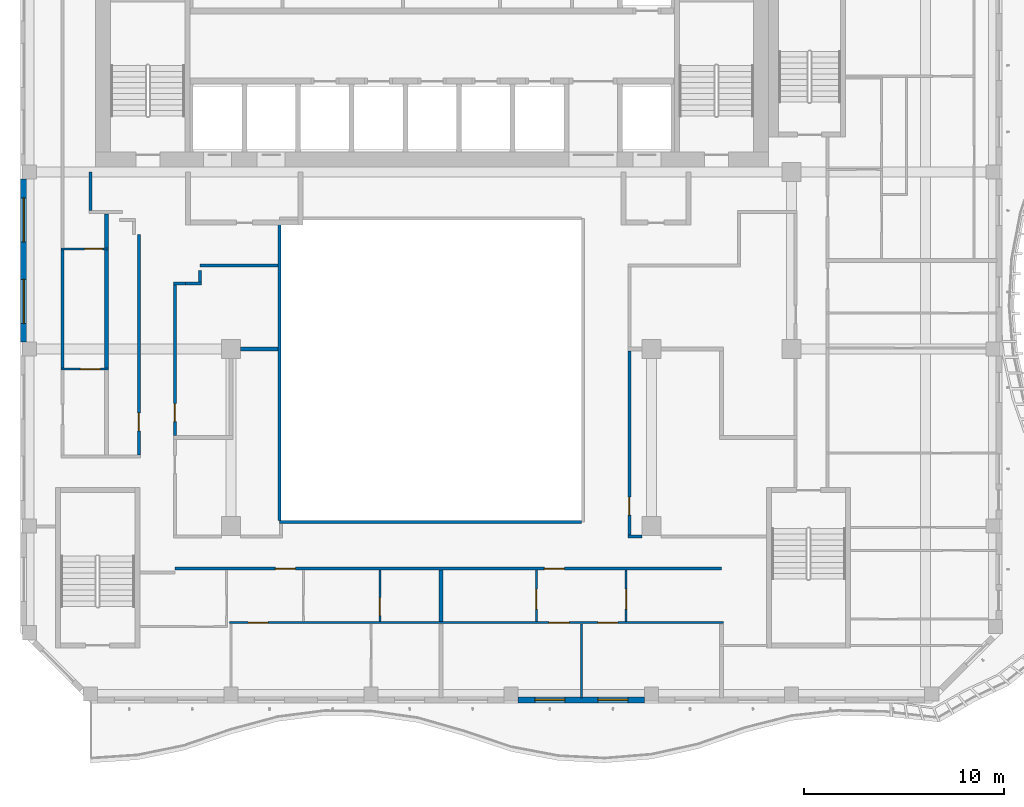
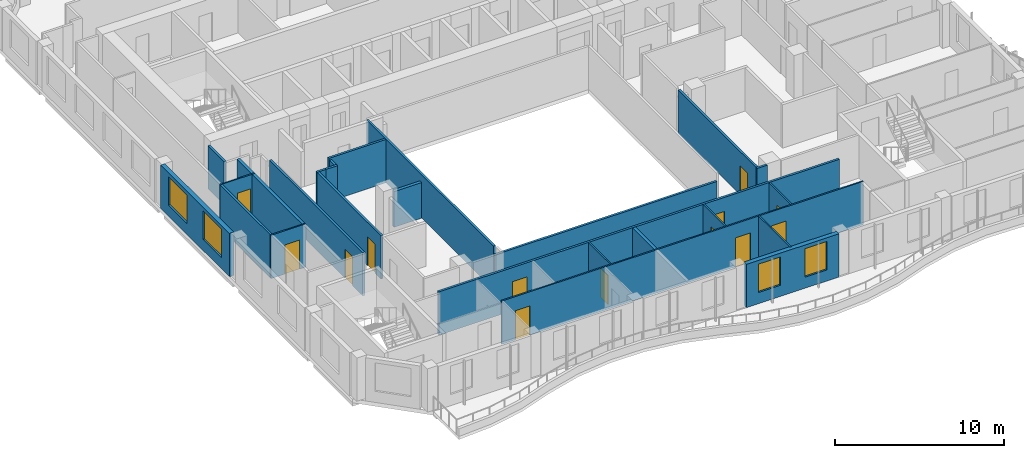
# One storey, part 3 of 19: 26 walls, 13 doors, 4 windows, 17 openings.
"""IFC4 building model written with IfcOpenShell, lengths in metres."""

import ifcopenshell
import ifcopenshell.guid

model = None  # the IFC model being written
_history = None  # IfcOwnerHistory: only IFC2X3 demands one
_inside = {}  # id of a spatial element -> (the spatial element, [elements in it])
_under = {}  # id of a project, library or spatial element -> (it, [spatial elements below it])
_declared = {}  # id of a project -> (the project, [libraries it declares])
_typed = {}  # id of a type object -> (the type object, [elements of that type])
_made_of = {}  # id of a material, layer set ... -> (it, [elements and type objects made of it])


def new_model(schema):
    """Start an empty IFC model of exactly this schema.

    Asked for "IFC4X3", IfcOpenShell would pick the latest addendum, in which some entities
    have other attributes; the version numbers below select the first issue.
    IFC2X3 requires an IfcOwnerHistory on every rooted entity: one is made here for all.
    """
    global model, _history
    if schema == "IFC4X3":
        model = ifcopenshell.file(schema_version=(4, 3, 0, 0))
    else:
        model = ifcopenshell.file(schema=schema)
    _inside.clear()
    _under.clear()
    _declared.clear()
    _typed.clear()
    _made_of.clear()
    _history = None
    if model.schema == "IFC2X3":
        org = make("IfcOrganization", Name="unknown")
        user = make(
            "IfcPersonAndOrganization",
            ThePerson=make("IfcPerson", FamilyName="unknown"),
            TheOrganization=org,
        )
        app = make(
            "IfcApplication",
            ApplicationDeveloper=org,
            Version="unknown",
            ApplicationFullName="unknown",
            ApplicationIdentifier="unknown",
        )
        _history = make(
            "IfcOwnerHistory",
            OwningUser=user,
            OwningApplication=app,
            ChangeAction="ADDED",
            CreationDate=0,
        )
    return model


def make(cls, **values):
    """One entity of the class cls with the attributes given. An attribute that is None is left unset."""
    return model.create_entity(
        cls, **{name: value for name, value in values.items() if value is not None}
    )


def rooted(cls, **values):
    """An entity with a GlobalId (a new one), such as an element, a storey or a relation."""
    return make(cls, GlobalId=ifcopenshell.guid.new(), OwnerHistory=_history, **values)


def si_unit(unit_type, name, prefix=None):
    """IfcSIUnit, for example si_unit("LENGTHUNIT", "METRE", prefix="MILLI")."""
    return make("IfcSIUnit", UnitType=unit_type, Prefix=prefix, Name=name)


def assignment(units):
    """IfcUnitAssignment: the units of a project."""
    return None if units is None else make("IfcUnitAssignment", Units=units)


def point(xyz):
    """IfcCartesianPoint."""
    return None if xyz is None else make("IfcCartesianPoint", Coordinates=xyz)


def direction(xyz):
    """IfcDirection."""
    return None if xyz is None else make("IfcDirection", DirectionRatios=xyz)


def frame(location, z_axis=None, x_axis=None):
    """IfcAxis2Placement3D, a coordinate frame: its origin and axes. An axis left out is left unset."""
    return make(
        "IfcAxis2Placement3D",
        Location=point(location),
        Axis=direction(z_axis),
        RefDirection=direction(x_axis),
    )


def frame_2d(location, x_axis=None):
    """IfcAxis2Placement2D, a coordinate frame in the plane: its origin and x axis."""
    return make(
        "IfcAxis2Placement2D", Location=point(location), RefDirection=direction(x_axis)
    )


def origin():
    """The frame at (0, 0, 0) with its axes left unset."""
    return frame((0.0, 0.0, 0.0))


def place(relative_to, where):
    """IfcLocalPlacement: puts the frame where relative to a parent placement (None: the world)."""
    return make(
        "IfcLocalPlacement", PlacementRelTo=relative_to, RelativePlacement=where
    )


def context(
    kind, dimensions, precision=None, world=None, true_north=None, identifier=None
):
    """IfcGeometricRepresentationContext, for example the 3D "Model" context."""
    return make(
        "IfcGeometricRepresentationContext",
        ContextIdentifier=identifier,
        ContextType=kind,
        CoordinateSpaceDimension=dimensions,
        Precision=precision,
        WorldCoordinateSystem=world,
        TrueNorth=true_north,
    )


def subcontext(parent, identifier, kind, view, scale=None):
    """IfcGeometricRepresentationSubContext, for example "Body" below "Model"."""
    return make(
        "IfcGeometricRepresentationSubContext",
        ContextIdentifier=identifier,
        ContextType=kind,
        ParentContext=parent,
        TargetScale=scale,
        TargetView=view,
    )


def project(units=None, contexts=None):
    """IfcProject with its units and contexts."""
    return rooted(
        "IfcProject",
        Name="project",
        RepresentationContexts=contexts,
        UnitsInContext=assignment(units),
    )


def spatial(cls, under=None, at=None, **own):
    """A site, building, storey or space (cls), placed at a placement, below another one or the project."""
    s = rooted(cls, ObjectPlacement=at, **own)
    if under is not None:
        _under.setdefault(under.id(), (under, []))[1].append(s)
    return s


def profile(cls, at=None, kind="AREA", **sizes):
    """A parametric profile (cls). Its sizes go by their IFC names, for example OverallWidth=200.0."""
    return make(cls, ProfileType=kind, Position=at, **sizes)


def rectangle(**sizes):
    """IfcRectangleProfileDef."""
    return profile("IfcRectangleProfileDef", **sizes)


def extrude(swept, where, along, depth):
    """IfcExtrudedAreaSolid: the profile swept, set in the frame where, extruded along a direction by depth."""
    return make(
        "IfcExtrudedAreaSolid",
        SweptArea=swept,
        Position=where,
        ExtrudedDirection=direction(along),
        Depth=depth,
    )


def shape(context_of_items, identifier, shape_type, items):
    """IfcShapeRepresentation: the items that make up one representation, for example the "Body"."""
    return make(
        "IfcShapeRepresentation",
        ContextOfItems=context_of_items,
        RepresentationIdentifier=identifier,
        RepresentationType=shape_type,
        Items=items,
    )


def source(mapping_origin, context_of_items, identifier, shape_type, items):
    """IfcRepresentationMap: a shape defined once, which mapped items show again and again."""
    return make(
        "IfcRepresentationMap",
        MappingOrigin=mapping_origin,
        MappedRepresentation=shape(context_of_items, identifier, shape_type, items),
    )


def transform(
    local_origin,
    x_axis=None,
    y_axis=None,
    z_axis=None,
    scale=None,
    scale2=None,
    scale3=None,
    uniform=True,
):
    """IfcCartesianTransformationOperator3D, or its non-uniform kind. x_axis, y_axis, z_axis: its Axis1, 2, 3."""
    if uniform:
        return make(
            "IfcCartesianTransformationOperator3D",
            Axis1=direction(x_axis),
            Axis2=direction(y_axis),
            LocalOrigin=point(local_origin),
            Scale=scale,
            Axis3=direction(z_axis),
        )
    return make(
        "IfcCartesianTransformationOperator3DnonUniform",
        Axis1=direction(x_axis),
        Axis2=direction(y_axis),
        LocalOrigin=point(local_origin),
        Scale=scale,
        Axis3=direction(z_axis),
        Scale2=scale2,
        Scale3=scale3,
    )


def mapped(mapping_source, mapping_target):
    """IfcMappedItem: shows the shape of a source again, moved by a transform."""
    return make(
        "IfcMappedItem", MappingSource=mapping_source, MappingTarget=mapping_target
    )


def material(Name=None, Category=None):
    """IfcMaterial."""
    return make("IfcMaterial", Name=Name, Category=Category)


def layer(
    of_material, thickness, ventilated=None, Name=None, Category=None, Priority=None
):
    """IfcMaterialLayer: one layer of a wall or slab, of a material (None: an air gap)."""
    return make(
        "IfcMaterialLayer",
        Material=of_material,
        LayerThickness=thickness,
        IsVentilated=ventilated,
        Name=Name,
        Category=Category,
        Priority=Priority,
    )


def layer_set(layers, Name=None):
    """IfcMaterialLayerSet."""
    return make("IfcMaterialLayerSet", MaterialLayers=layers, LayerSetName=Name)


def made_of(thing, what):
    """Note that an element or type object is made of a material, layer set ...; save() writes the relation."""
    if what is not None:
        _made_of.setdefault(what.id(), (what, []))[1].append(thing)
    return thing


def type_object(cls, material=None, **own):
    """A type object (cls), such as IfcWallType, which elements share."""
    return made_of(rooted(cls, **own), material)


def element(
    cls,
    number,
    at=None,
    inside=None,
    cuts=None,
    type_object=None,
    material=None,
    context=None,
    identifier="Body",
    shape_type=None,
    held_by="IfcProductDefinitionShape",
    body=None,
    shapes=None,
    **own,
):
    """One element of the class cls, such as IfcWall. Its Tag is "e" and its number.

    at: its placement. inside: the storey or other place that contains it. cuts: it is an
    opening in that element (IfcRelVoidsElement). A single representation is given by context,
    identifier, shape_type and body (its items); several are given by shapes. held_by: the class
    of the entity that holds the representations. save() writes the other relations.
    """
    e = rooted(cls, Tag="e%d" % number, ObjectPlacement=at, **own)
    if body is not None:
        shapes = [shape(context, identifier, shape_type, body)]
    if shapes is not None:
        e.Representation = make(held_by, Representations=shapes)
    if inside is not None:
        _inside.setdefault(inside.id(), (inside, []))[1].append(e)
    if cuts is not None:
        rooted(
            "IfcRelVoidsElement", RelatingBuildingElement=cuts, RelatedOpeningElement=e
        )
    if type_object is not None:
        _typed.setdefault(type_object.id(), (type_object, []))[1].append(e)
    return made_of(e, material)


def fill(opening, filler):
    """IfcRelFillsElement: the door or window that sits in an opening."""
    return rooted(
        "IfcRelFillsElement",
        RelatingOpeningElement=opening,
        RelatedBuildingElement=filler,
    )


def aggregate(whole, parts):
    """IfcRelAggregates: a whole, such as a stair, and the parts it consists of."""
    return rooted("IfcRelAggregates", RelatingObject=whole, RelatedObjects=parts)


def save(model, path):
    """Write the relations noted so far, then the file.

    IfcRelAggregates (storeys below a building ...), IfcRelContainedInSpatialStructure (elements
    in a storey), IfcRelDefinesByType, IfcRelAssociatesMaterial and IfcRelDeclares: one each for
    every whole, place, type object, material and project.
    """
    for whole, parts in _under.values():
        aggregate(whole, parts)
    for where, things in _inside.values():
        rooted(
            "IfcRelContainedInSpatialStructure",
            RelatedElements=things,
            RelatingStructure=where,
        )
    for kind, things in _typed.values():
        rooted("IfcRelDefinesByType", RelatedObjects=things, RelatingType=kind)
    for what, things in _made_of.values():
        rooted("IfcRelAssociatesMaterial", RelatedObjects=things, RelatingMaterial=what)
    for by, libraries in _declared.values():
        rooted("IfcRelDeclares", RelatingContext=by, RelatedDefinitions=libraries)
    model.write(path)


model = new_model("IFC4")

# Units and contexts
model_context = context("Model", 3, precision=1e-05, world=origin(), true_north=direction((0.0, 1.0)))
body_context = subcontext(model_context, "Body", "Model", "MODEL_VIEW")
ifc_project = project(units=[si_unit("LENGTHUNIT", "METRE"), si_unit("AREAUNIT", "SQUARE_METRE"), si_unit("VOLUMEUNIT", "CUBIC_METRE"), si_unit("PLANEANGLEUNIT", "RADIAN"), si_unit("MASSUNIT", "GRAM", prefix="KILO")], contexts=[model_context])

# Site, building, storey
site_placement = place(None, origin())
site = spatial("IfcSite", under=ifc_project, at=site_placement, CompositionType="ELEMENT")
building_placement = place(site_placement, origin())
building = spatial("IfcBuilding", under=site, at=building_placement, Name="Kilnfold Tower and Market Hall", CompositionType="ELEMENT")
storey_placement = place(building_placement, frame((0.0, 0.0, 252.60009765625)))
storey = spatial("IfcBuildingStorey", under=building, at=storey_placement, Name="L61", CompositionType="ELEMENT", Elevation=252.60009765625)

# Walls
ifc_material_1 = material(Name="Fire-resisting glazed screen")
ifc_layer_1 = layer(ifc_material_1, 0.14990234375)
ifc_layer_set_1 = layer_set([ifc_layer_1], Name="Fire-resisting glazed screen")
wall_type_1 = type_object("IfcWallType", Name="WALL ATRIUM 150", PredefinedType="PARTITIONING", material=ifc_layer_set_1)
wall_1_placement = place(storey_placement, frame((8.5, -9.47509765625, 0.0), z_axis=(0.0, 0.0, 1.0), x_axis=(-1.0, 0.0, 0.0)))
element("IfcWall", 1, at=wall_1_placement, inside=storey, type_object=wall_type_1, Name="Partition LY37.107", PredefinedType="PARTITIONING", context=body_context, shape_type="SweptSolid", body=[
    extrude(rectangle(XDim=15.074951171875, YDim=0.14990234375, at=frame_2d((7.53759765625, 0.0))), origin(), (0.0, 0.0, 1.0), 2.56982421875),
])
wall_2_placement = place(storey_placement, frame((-6.574951171875, -9.39990234375, 0.0), z_axis=(0.0, 0.0, 1.0), x_axis=(0.0, 1.0, 0.0)))
element("IfcWall", 2, at=wall_2_placement, inside=storey, type_object=wall_type_1, Name="Partition LY37.108", PredefinedType="PARTITIONING", context=body_context, shape_type="SweptSolid", body=[
    extrude(rectangle(XDim=15.0, YDim=0.14990234375, at=frame_2d((7.5, 0.0))), origin(), (0.0, 0.0, 1.0), 3.119873046875),
])
ifc_material_2 = material(Name="Gypsum board on steel studs", Category="steel")
ifc_layer_2 = layer(ifc_material_2, 0.14990234375)
ifc_layer_set_2 = layer_set([ifc_layer_2], Name="Gypsum board on steel studs")
wall_type_2 = type_object("IfcWallType", Name="WALL CORRIDOR 150", PredefinedType="PARTITIONING", material=ifc_layer_set_2)
wall_3_placement = place(storey_placement, frame((-17.39990234375, -1.791015625, 0.0), z_axis=(0.0, 0.0, 1.0), x_axis=(0.0, 1.0, 0.0)))
element("IfcWall", 3, at=wall_3_placement, inside=storey, type_object=wall_type_2, Name="Partition LY37.3", PredefinedType="PARTITIONING", context=body_context, shape_type="SweptSolid", body=[
    extrude(rectangle(XDim=5.925048828125, YDim=0.14990234375, at=frame_2d((2.96240234375, 0.0))), origin(), (0.0, 0.0, 1.0), 3.119873046875),
])
wall_4_placement = place(storey_placement, frame((-16.0, 6.074951171875, 0.0), z_axis=(0.0, 0.0, 1.0), x_axis=(0.0, 1.0, 0.0)))
element("IfcWall", 4, at=wall_4_placement, inside=storey, type_object=wall_type_2, Name="Partition LY37.6", PredefinedType="PARTITIONING", context=body_context, shape_type="SweptSolid", body=[
    extrude(rectangle(XDim=1.925048828125, YDim=0.14990234375, at=frame_2d((0.96240234375, 0.0))), origin(), (0.0, 0.0, 1.0), 3.119873046875),
])

# Wall, openings, doors
wall_5_placement = place(storey_placement, frame((-11.800048828125, -11.800048828125, 0.0), z_axis=(0.0, 0.0, 1.0), x_axis=(1.0, 0.0, 0.0)))
wall_5 = element("IfcWall", 5, at=wall_5_placement, inside=storey, type_object=wall_type_2, Name="Partition LY37.9", PredefinedType="PARTITIONING", context=body_context, shape_type="SweptSolid", body=[
    extrude(rectangle(XDim=27.31005859375, YDim=0.14990234375, at=frame_2d((13.655029296875, 0.0))), origin(), (0.0, 0.0, 1.0), 3.119873046875),
])
opening_1_placement = place(wall_5_placement, frame((5.02099609375, 0.0, 0.0)))
opening_1 = element("IfcOpeningElement", 6, at=opening_1_placement, cuts=wall_5, Name="Opening D1", PredefinedType="OPENING", context=body_context, shape_type="SweptSolid", body=[
    extrude(rectangle(XDim=1.0, YDim=2.10009765625, at=frame_2d((0.5, 1.050048828125))), frame((0.0, 0.0849609375, 0.0), z_axis=(0.0, -1.0, 0.0), x_axis=(1.0, 0.0, 0.0)), (0.0, 0.0, 1.0), 0.169921875),
])
opening_2_placement = place(wall_5_placement, frame((18.45703125, 0.0, 0.0)))
opening_2 = element("IfcOpeningElement", 7, at=opening_2_placement, cuts=wall_5, Name="Opening D1", PredefinedType="OPENING", context=body_context, shape_type="SweptSolid", body=[
    extrude(rectangle(XDim=1.0, YDim=2.10009765625, at=frame_2d((0.5, 1.050048828125))), frame((0.0, 0.0849609375, 0.0), z_axis=(0.0, -1.0, 0.0), x_axis=(1.0, 0.0, 0.0)), (0.0, 0.0, 1.0), 0.169921875),
])
ifc_material_3 = material(Name="Timber veneer door leaf in steel frame", Category="steel")
door_type_1 = type_object("IfcDoorType", Name="DOOR ENTRY 1000 X2100", OperationType="NOTDEFINED", PredefinedType="DOOR", material=ifc_material_3)
door_1_placement = place(opening_1_placement, origin())
door_1 = element("IfcDoor", 8, at=door_1_placement, inside=storey, type_object=door_type_1, Name="Door D1", OperationType="SINGLE_SWING_LEFT", OverallHeight=2.10009765625, OverallWidth=1.0, PredefinedType="DOOR", context=body_context, shape_type="SweptSolid", body=[
    extrude(rectangle(XDim=1.0, YDim=2.10009765625, at=frame_2d((0.5, 1.050048828125))), frame((0.0, 0.02490234375, 0.0), z_axis=(0.0, -1.0, 0.0), x_axis=(1.0, 0.0, 0.0)), (0.0, 0.0, 1.0), 0.050048828125),
])
fill(opening_1, door_1)
door_2_placement = place(opening_2_placement, origin())
door_2 = element("IfcDoor", 9, at=door_2_placement, inside=storey, type_object=door_type_1, Name="Door D1", OperationType="SINGLE_SWING_LEFT", OverallHeight=2.10009765625, OverallWidth=1.0, PredefinedType="DOOR", context=body_context, shape_type="SweptSolid", body=[
    extrude(rectangle(XDim=1.0, YDim=2.10009765625, at=frame_2d((0.5, 1.050048828125))), frame((0.0, 0.02490234375, 0.0), z_axis=(0.0, -1.0, 0.0), x_axis=(1.0, 0.0, 0.0)), (0.0, 0.0, 1.0), 0.050048828125),
])
fill(opening_2, door_2)

# Wall, opening, door
wall_6_placement = place(storey_placement, frame((-13.60009765625, 4.87890625, 0.0), z_axis=(0.0, 0.0, 1.0), x_axis=(0.0, -1.0, 0.0)))
wall_6 = element("IfcWall", 10, at=wall_6_placement, inside=storey, type_object=wall_type_2, Name="Partition LY37.28", PredefinedType="PARTITIONING", context=body_context, shape_type="SweptSolid", body=[
    extrude(rectangle(XDim=11.00390625, YDim=0.14990234375, at=frame_2d((5.501953125, 0.0))), origin(), (0.0, 0.0, 1.0), 3.119873046875),
])
opening_3_placement = place(wall_6_placement, frame((8.904052734375, 0.0, 0.0)))
opening_3 = element("IfcOpeningElement", 11, at=opening_3_placement, cuts=wall_6, Name="Opening D2", PredefinedType="OPENING", context=body_context, shape_type="SweptSolid", body=[
    extrude(rectangle(XDim=0.89990234375, YDim=2.10009765625, at=frame_2d((0.449951171875, 1.050048828125))), frame((0.0, 0.0849609375, 0.0), z_axis=(0.0, -1.0, 0.0), x_axis=(1.0, 0.0, 0.0)), (0.0, 0.0, 1.0), 0.169921875),
])
ifc_material_4 = material(Name="Timber veneer door leaf in steel frame", Category="steel")
door_type_2 = type_object("IfcDoorType", Name="DOOR ROOM 900 X2100", OperationType="NOTDEFINED", PredefinedType="DOOR", material=ifc_material_4)
door_3_placement = place(opening_3_placement, origin())
door_3 = element("IfcDoor", 12, at=door_3_placement, inside=storey, type_object=door_type_2, Name="Door D2", OperationType="SINGLE_SWING_RIGHT", OverallHeight=2.10009765625, OverallWidth=0.89990234375, PredefinedType="DOOR", context=body_context, shape_type="SweptSolid", body=[
    extrude(rectangle(XDim=0.89990234375, YDim=2.10009765625, at=frame_2d((0.449951171875, 1.050048828125))), frame((0.0, 0.02490234375, 0.0), z_axis=(0.0, -1.0, 0.0), x_axis=(1.0, 0.0, 0.0)), (0.0, 0.0, 1.0), 0.050048828125),
])
fill(opening_3, door_3)

# Walls
wall_7_placement = place(storey_placement, frame((-10.5458984375, 3.35009765625, 0.0), z_axis=(0.0, 0.0, 1.0), x_axis=(1.0, 0.0, 0.0)))
element("IfcWall", 13, at=wall_7_placement, inside=storey, type_object=wall_type_2, Name="Partition LY37.31", PredefinedType="PARTITIONING", context=body_context, shape_type="SweptSolid", body=[
    extrude(rectangle(XDim=3.89599609375, YDim=0.14990234375, at=frame_2d((1.947998046875, 0.0))), origin(), (0.0, 0.0, 1.0), 3.119873046875),
])
wall_8_placement = place(storey_placement, frame((-10.5439453125, 2.52294921875, 0.0), z_axis=(0.0, 0.0, 1.0), x_axis=(0.0, 1.0, 0.0)))
element("IfcWall", 14, at=wall_8_placement, inside=storey, type_object=wall_type_2, Name="Partition LY37.32", PredefinedType="PARTITIONING", context=body_context, shape_type="SweptSolid", body=[
    extrude(rectangle(XDim=0.570068359375, YDim=0.14990234375, at=frame_2d((0.28515625, 0.0))), origin(), (0.0, 0.0, 1.0), 3.119873046875),
])
wall_9_placement = place(storey_placement, frame((-11.261962890625, 2.447998046875, 0.0), z_axis=(0.0, 0.0, 1.0), x_axis=(1.0, 0.0, 0.0)))
element("IfcWall", 15, at=wall_9_placement, inside=storey, type_object=wall_type_2, Name="Partition LY37.33", PredefinedType="PARTITIONING", context=body_context, shape_type="SweptSolid", body=[
    extrude(rectangle(XDim=0.79296875, YDim=0.14990234375, at=frame_2d((0.396484375, 0.0))), origin(), (0.0, 0.0, 1.0), 3.119873046875),
])
wall_10_placement = place(storey_placement, frame((-11.875, 2.449951171875, 0.0), z_axis=(0.0, 0.0, 1.0), x_axis=(1.0, 0.0, 0.0)))
element("IfcWall", 16, at=wall_10_placement, inside=storey, type_object=wall_type_2, Name="Partition LY37.34", PredefinedType="PARTITIONING", context=body_context, shape_type="SweptSolid", body=[
    extrude(rectangle(XDim=0.613037109375, YDim=0.14990234375, at=frame_2d((0.306640625, 0.0))), origin(), (0.0, 0.0, 1.0), 3.119873046875),
])

# Wall, opening, door
wall_11_placement = place(storey_placement, frame((-11.800048828125, -5.159912109375, 0.0), z_axis=(0.0, 0.0, 1.0), x_axis=(0.0, 1.0, 0.0)))
wall_11 = element("IfcWall", 17, at=wall_11_placement, inside=storey, type_object=wall_type_2, Name="Partition LY37.35", PredefinedType="PARTITIONING", context=body_context, shape_type="SweptSolid", body=[
    extrude(rectangle(XDim=7.534912109375, YDim=0.14990234375, at=frame_2d((3.767578125, 0.0))), origin(), (0.0, 0.0, 1.0), 3.119873046875),
])
opening_4_placement = place(wall_11_placement, frame((0.702880859375, 0.0, 0.0)))
opening_4 = element("IfcOpeningElement", 18, at=opening_4_placement, cuts=wall_11, Name="Opening D2", PredefinedType="OPENING", context=body_context, shape_type="SweptSolid", body=[
    extrude(rectangle(XDim=0.89990234375, YDim=2.10009765625, at=frame_2d((0.449951171875, 1.050048828125))), frame((0.0, 0.0849609375, 0.0), z_axis=(0.0, -1.0, 0.0), x_axis=(1.0, 0.0, 0.0)), (0.0, 0.0, 1.0), 0.169921875),
])
door_4_placement = place(opening_4_placement, origin())
door_4 = element("IfcDoor", 19, at=door_4_placement, inside=storey, type_object=door_type_2, Name="Door D2", OperationType="SINGLE_SWING_RIGHT", OverallHeight=2.10009765625, OverallWidth=0.89990234375, PredefinedType="DOOR", context=body_context, shape_type="SweptSolid", body=[
    extrude(rectangle(XDim=0.89990234375, YDim=2.10009765625, at=frame_2d((0.449951171875, 1.050048828125))), frame((0.0, 0.02490234375, 0.0), z_axis=(0.0, -1.0, 0.0), x_axis=(1.0, 0.0, 0.0)), (0.0, 0.0, 1.0), 0.050048828125),
])
fill(opening_4, door_4)

wall_12_placement = place(storey_placement, frame((10.89990234375, -10.125, 0.0), z_axis=(0.0, 0.0, 1.0), x_axis=(0.0, 1.0, 0.0)))
wall_12 = element("IfcWall", 20, at=wall_12_placement, inside=storey, type_object=wall_type_2, Name="Partition LY37.41", PredefinedType="PARTITIONING", context=body_context, shape_type="SweptSolid", body=[
    extrude(rectangle(XDim=9.201904296875, YDim=0.14990234375, at=frame_2d((4.60107421875, 0.0))), origin(), (0.0, 0.0, 1.0), 3.119873046875),
])
opening_5_placement = place(wall_12_placement, frame((1.0, 0.0, 0.0)))
opening_5 = element("IfcOpeningElement", 21, at=opening_5_placement, cuts=wall_12, Name="Opening D2", PredefinedType="OPENING", context=body_context, shape_type="SweptSolid", body=[
    extrude(rectangle(XDim=0.89990234375, YDim=2.10009765625, at=frame_2d((0.449951171875, 1.050048828125))), frame((0.0, 0.0849609375, 0.0), z_axis=(0.0, -1.0, 0.0), x_axis=(1.0, 0.0, 0.0)), (0.0, 0.0, 1.0), 0.169921875),
])
door_5_placement = place(opening_5_placement, origin())
door_5 = element("IfcDoor", 22, at=door_5_placement, inside=storey, type_object=door_type_2, Name="Door D2", OperationType="SINGLE_SWING_LEFT", OverallHeight=2.10009765625, OverallWidth=0.89990234375, PredefinedType="DOOR", context=body_context, shape_type="SweptSolid", body=[
    extrude(rectangle(XDim=0.89990234375, YDim=2.10009765625, at=frame_2d((0.449951171875, 1.050048828125))), frame((0.0, 0.02490234375, 0.0), z_axis=(0.0, -1.0, 0.0), x_axis=(1.0, 0.0, 0.0)), (0.0, 0.0, 1.0), 0.050048828125),
])
fill(opening_5, door_5)

# Wall
wall_13_placement = place(storey_placement, frame((10.824951171875, -10.199951171875, 0.0), z_axis=(0.0, 0.0, 1.0), x_axis=(1.0, 0.0, 0.0)))
element("IfcWall", 23, at=wall_13_placement, inside=storey, type_object=wall_type_2, Name="Partition LY37.43", PredefinedType="PARTITIONING", context=body_context, shape_type="SweptSolid", body=[
    extrude(rectangle(XDim=0.699951171875, YDim=0.14990234375, at=frame_2d((0.35009765625, 0.0))), origin(), (0.0, 0.0, 1.0), 3.119873046875),
])

# Wall, opening, door
ifc_material_5 = material(Name="Gypsum board on steel studs", Category="steel")
ifc_layer_3 = layer(ifc_material_5, 0.10009765625)
ifc_layer_set_3 = layer_set([ifc_layer_3], Name="Gypsum board on steel studs")
wall_type_3 = type_object("IfcWallType", Name="WALL PARTITION 100", PredefinedType="PARTITIONING", material=ifc_layer_set_3)
wall_14_placement = place(storey_placement, frame((-15.10009765625, -1.8310546875, 0.0), z_axis=(0.0, 0.0, 1.0), x_axis=(-1.0, 0.0, 0.0)))
wall_14 = element("IfcWall", 24, at=wall_14_placement, inside=storey, type_object=wall_type_3, Name="Partition LY37.50", PredefinedType="PARTITIONING", context=body_context, shape_type="SweptSolid", body=[
    extrude(rectangle(XDim=2.372802734375, YDim=0.10009765625, at=frame_2d((1.1865234375, 0.0))), origin(), (0.0, 0.0, 1.0), 3.119873046875),
])
opening_6_placement = place(wall_14_placement, frame((0.416015625, 0.0, 0.0)))
opening_6 = element("IfcOpeningElement", 25, at=opening_6_placement, cuts=wall_14, Name="Opening D1", PredefinedType="OPENING", context=body_context, shape_type="SweptSolid", body=[
    extrude(rectangle(XDim=1.0, YDim=2.10009765625, at=frame_2d((0.5, 1.050048828125))), frame((0.0, 0.06005859375, 0.0), z_axis=(0.0, -1.0, 0.0), x_axis=(1.0, 0.0, 0.0)), (0.0, 0.0, 1.0), 0.1201171875),
])
door_6_placement = place(opening_6_placement, origin())
door_6 = element("IfcDoor", 26, at=door_6_placement, inside=storey, type_object=door_type_1, Name="Door D1", OperationType="SINGLE_SWING_LEFT", OverallHeight=2.10009765625, OverallWidth=1.0, PredefinedType="DOOR", context=body_context, shape_type="SweptSolid", body=[
    extrude(rectangle(XDim=1.0, YDim=2.10009765625, at=frame_2d((0.5, 1.050048828125))), frame((0.0, 0.02490234375, 0.0), z_axis=(0.0, -1.0, 0.0), x_axis=(1.0, 0.0, 0.0)), (0.0, 0.0, 1.0), 0.050048828125),
])
fill(opening_6, door_6)

wall_15_placement = place(storey_placement, frame((-15.10009765625, 4.174072265625, 0.0), z_axis=(0.0, 0.0, 1.0), x_axis=(-1.0, 0.0, 0.0)))
wall_15 = element("IfcWall", 27, at=wall_15_placement, inside=storey, type_object=wall_type_3, Name="Partition LY37.52", PredefinedType="PARTITIONING", context=body_context, shape_type="SweptSolid", body=[
    extrude(rectangle(XDim=2.372802734375, YDim=0.10009765625, at=frame_2d((1.1865234375, 0.0))), origin(), (0.0, 0.0, 1.0), 3.119873046875),
])
opening_7_placement = place(wall_15_placement, frame((0.306884765625, 0.0, 0.0)))
opening_7 = element("IfcOpeningElement", 28, at=opening_7_placement, cuts=wall_15, Name="Opening D2", PredefinedType="OPENING", context=body_context, shape_type="SweptSolid", body=[
    extrude(rectangle(XDim=0.89990234375, YDim=2.10009765625, at=frame_2d((0.449951171875, 1.050048828125))), frame((0.0, 0.06005859375, 0.0), z_axis=(0.0, -1.0, 0.0), x_axis=(1.0, 0.0, 0.0)), (0.0, 0.0, 1.0), 0.1201171875),
])
door_7_placement = place(opening_7_placement, origin())
door_7 = element("IfcDoor", 29, at=door_7_placement, inside=storey, type_object=door_type_2, Name="Door D2", OperationType="SINGLE_SWING_RIGHT", OverallHeight=2.10009765625, OverallWidth=0.89990234375, PredefinedType="DOOR", context=body_context, shape_type="SweptSolid", body=[
    extrude(rectangle(XDim=0.89990234375, YDim=2.10009765625, at=frame_2d((0.449951171875, 1.050048828125))), frame((0.0, 0.02490234375, 0.0), z_axis=(0.0, -1.0, 0.0), x_axis=(1.0, 0.0, 0.0)), (0.0, 0.0, 1.0), 0.050048828125),
])
fill(opening_7, door_7)

# Wall, openings, doors
wall_16_placement = place(storey_placement, frame((-9.06005859375, -14.5, 0.0), z_axis=(0.0, 0.0, 1.0), x_axis=(1.0, 0.0, 0.0)))
wall_16 = element("IfcWall", 30, at=wall_16_placement, inside=storey, type_object=wall_type_3, Name="Partition LY37.59", PredefinedType="PARTITIONING", context=body_context, shape_type="SweptSolid", body=[
    extrude(rectangle(XDim=24.66015625, YDim=0.10009765625, at=frame_2d((12.330078125, 0.0))), origin(), (0.0, 0.0, 1.0), 3.119873046875),
])
opening_8_placement = place(wall_16_placement, frame((0.924072265625, 0.0, 0.0)))
opening_8 = element("IfcOpeningElement", 31, at=opening_8_placement, cuts=wall_16, Name="Opening D1", PredefinedType="OPENING", context=body_context, shape_type="SweptSolid", body=[
    extrude(rectangle(XDim=1.0, YDim=2.10009765625, at=frame_2d((0.5, 1.050048828125))), frame((0.0, 0.06005859375, 0.0), z_axis=(0.0, -1.0, 0.0), x_axis=(1.0, 0.0, 0.0)), (0.0, 0.0, 1.0), 0.1201171875),
])
opening_9_placement = place(wall_16_placement, frame((15.945068359375, 0.0, 0.0)))
opening_9 = element("IfcOpeningElement", 32, at=opening_9_placement, cuts=wall_16, Name="Opening D1", PredefinedType="OPENING", context=body_context, shape_type="SweptSolid", body=[
    extrude(rectangle(XDim=1.0, YDim=2.10009765625, at=frame_2d((0.5, 1.050048828125))), frame((0.0, 0.06005859375, 0.0), z_axis=(0.0, -1.0, 0.0), x_axis=(1.0, 0.0, 0.0)), (0.0, 0.0, 1.0), 0.1201171875),
])
opening_10_placement = place(wall_16_placement, frame((18.386962890625, 0.0, 0.0)))
opening_10 = element("IfcOpeningElement", 33, at=opening_10_placement, cuts=wall_16, Name="Opening D1", PredefinedType="OPENING", context=body_context, shape_type="SweptSolid", body=[
    extrude(rectangle(XDim=1.0, YDim=2.10009765625, at=frame_2d((0.5, 1.050048828125))), frame((0.0, 0.06005859375, 0.0), z_axis=(0.0, -1.0, 0.0), x_axis=(1.0, 0.0, 0.0)), (0.0, 0.0, 1.0), 0.1201171875),
])
door_8_placement = place(opening_8_placement, origin())
door_8 = element("IfcDoor", 34, at=door_8_placement, inside=storey, type_object=door_type_1, Name="Door D1", OperationType="SINGLE_SWING_RIGHT", OverallHeight=2.10009765625, OverallWidth=1.0, PredefinedType="DOOR", context=body_context, shape_type="SweptSolid", body=[
    extrude(rectangle(XDim=1.0, YDim=2.10009765625, at=frame_2d((0.5, 1.050048828125))), frame((0.0, 0.02490234375, 0.0), z_axis=(0.0, -1.0, 0.0), x_axis=(1.0, 0.0, 0.0)), (0.0, 0.0, 1.0), 0.050048828125),
])
fill(opening_8, door_8)
door_9_placement = place(opening_9_placement, origin())
door_9 = element("IfcDoor", 35, at=door_9_placement, inside=storey, type_object=door_type_1, Name="Door D1", OperationType="SINGLE_SWING_LEFT", OverallHeight=2.10009765625, OverallWidth=1.0, PredefinedType="DOOR", context=body_context, shape_type="SweptSolid", body=[
    extrude(rectangle(XDim=1.0, YDim=2.10009765625, at=frame_2d((0.5, 1.050048828125))), frame((0.0, 0.02490234375, 0.0), z_axis=(0.0, -1.0, 0.0), x_axis=(1.0, 0.0, 0.0)), (0.0, 0.0, 1.0), 0.050048828125),
])
fill(opening_9, door_9)
door_10_placement = place(opening_10_placement, origin())
door_10 = element("IfcDoor", 36, at=door_10_placement, inside=storey, type_object=door_type_1, Name="Door D1", OperationType="SINGLE_SWING_LEFT", OverallHeight=2.10009765625, OverallWidth=1.0, PredefinedType="DOOR", context=body_context, shape_type="SweptSolid", body=[
    extrude(rectangle(XDim=1.0, YDim=2.10009765625, at=frame_2d((0.5, 1.050048828125))), frame((0.0, 0.02490234375, 0.0), z_axis=(0.0, -1.0, 0.0), x_axis=(1.0, 0.0, 0.0)), (0.0, 0.0, 1.0), 0.050048828125),
])
fill(opening_10, door_10)

# Wall, opening, door
wall_17_placement = place(storey_placement, frame((-1.56005859375, -14.449951171875, 0.0), z_axis=(0.0, 0.0, 1.0), x_axis=(0.0, 1.0, 0.0)))
wall_17 = element("IfcWall", 37, at=wall_17_placement, inside=storey, type_object=wall_type_3, Name="Partition LY37.60", PredefinedType="PARTITIONING", context=body_context, shape_type="SweptSolid", body=[
    extrude(rectangle(XDim=2.572998046875, YDim=0.10009765625, at=frame_2d((1.28662109375, 0.0))), origin(), (0.0, 0.0, 1.0), 3.119873046875),
])
opening_11_placement = place(wall_17_placement, frame((0.305908203125, 0.0, 0.0)))
opening_11 = element("IfcOpeningElement", 38, at=opening_11_placement, cuts=wall_17, Name="Opening D2", PredefinedType="OPENING", context=body_context, shape_type="SweptSolid", body=[
    extrude(rectangle(XDim=0.89990234375, YDim=2.10009765625, at=frame_2d((0.449951171875, 1.050048828125))), frame((0.0, 0.06005859375, 0.0), z_axis=(0.0, -1.0, 0.0), x_axis=(1.0, 0.0, 0.0)), (0.0, 0.0, 1.0), 0.1201171875),
])
door_11_placement = place(opening_11_placement, origin())
door_11 = element("IfcDoor", 39, at=door_11_placement, inside=storey, type_object=door_type_2, Name="Door D2", OperationType="SINGLE_SWING_RIGHT", OverallHeight=2.10009765625, OverallWidth=0.89990234375, PredefinedType="DOOR", context=body_context, shape_type="SweptSolid", body=[
    extrude(rectangle(XDim=0.89990234375, YDim=2.10009765625, at=frame_2d((0.449951171875, 1.050048828125))), frame((0.0, 0.02490234375, 0.0), z_axis=(0.0, -1.0, 0.0), x_axis=(1.0, 0.0, 0.0)), (0.0, 0.0, 1.0), 0.050048828125),
])
fill(opening_11, door_11)

wall_18_placement = place(storey_placement, frame((6.260009765625, -14.449951171875, 0.0), z_axis=(0.0, 0.0, 1.0), x_axis=(0.0, 1.0, 0.0)))
wall_18 = element("IfcWall", 40, at=wall_18_placement, inside=storey, type_object=wall_type_3, Name="Partition LY37.65", PredefinedType="PARTITIONING", context=body_context, shape_type="SweptSolid", body=[
    extrude(rectangle(XDim=2.572998046875, YDim=0.10009765625, at=frame_2d((1.28662109375, 0.0))), origin(), (0.0, 0.0, 1.0), 3.119873046875),
])
opening_12_placement = place(wall_18_placement, frame((0.626953125, 0.0, 0.0)))
opening_12 = element("IfcOpeningElement", 41, at=opening_12_placement, cuts=wall_18, Name="Opening D1", PredefinedType="OPENING", context=body_context, shape_type="SweptSolid", body=[
    extrude(rectangle(XDim=1.0, YDim=2.10009765625, at=frame_2d((0.5, 1.050048828125))), frame((0.0, 0.06005859375, 0.0), z_axis=(0.0, -1.0, 0.0), x_axis=(1.0, 0.0, 0.0)), (0.0, 0.0, 1.0), 0.1201171875),
])
door_12_placement = place(opening_12_placement, origin())
door_12 = element("IfcDoor", 42, at=door_12_placement, inside=storey, type_object=door_type_1, Name="Door D1", OperationType="SINGLE_SWING_RIGHT", OverallHeight=2.10009765625, OverallWidth=1.0, PredefinedType="DOOR", context=body_context, shape_type="SweptSolid", body=[
    extrude(rectangle(XDim=1.0, YDim=2.10009765625, at=frame_2d((0.5, 1.050048828125))), frame((0.0, 0.02490234375, 0.0), z_axis=(0.0, -1.0, 0.0), x_axis=(1.0, 0.0, 0.0)), (0.0, 0.0, 1.0), 0.050048828125),
])
fill(opening_12, door_12)

wall_19_placement = place(storey_placement, frame((10.739990234375, -14.449951171875, 0.0), z_axis=(0.0, 0.0, 1.0), x_axis=(0.0, 1.0, 0.0)))
wall_19 = element("IfcWall", 43, at=wall_19_placement, inside=storey, type_object=wall_type_3, Name="Partition LY37.66", PredefinedType="PARTITIONING", context=body_context, shape_type="SweptSolid", body=[
    extrude(rectangle(XDim=2.572998046875, YDim=0.10009765625, at=frame_2d((1.28662109375, 0.0))), origin(), (0.0, 0.0, 1.0), 3.119873046875),
])
opening_13_placement = place(wall_19_placement, frame((0.626953125, 0.0, 0.0)))
opening_13 = element("IfcOpeningElement", 44, at=opening_13_placement, cuts=wall_19, Name="Opening D1", PredefinedType="OPENING", context=body_context, shape_type="SweptSolid", body=[
    extrude(rectangle(XDim=1.0, YDim=2.10009765625, at=frame_2d((0.5, 1.050048828125))), frame((0.0, 0.06005859375, 0.0), z_axis=(0.0, -1.0, 0.0), x_axis=(1.0, 0.0, 0.0)), (0.0, 0.0, 1.0), 0.1201171875),
])
door_13_placement = place(opening_13_placement, origin())
door_13 = element("IfcDoor", 45, at=door_13_placement, inside=storey, type_object=door_type_1, Name="Door D1", OperationType="SINGLE_SWING_LEFT", OverallHeight=2.10009765625, OverallWidth=1.0, PredefinedType="DOOR", context=body_context, shape_type="SweptSolid", body=[
    extrude(rectangle(XDim=1.0, YDim=2.10009765625, at=frame_2d((0.5, 1.050048828125))), frame((0.0, 0.02490234375, 0.0), z_axis=(0.0, -1.0, 0.0), x_axis=(1.0, 0.0, 0.0)), (0.0, 0.0, 1.0), 0.050048828125),
])
fill(opening_13, door_13)

# Walls
wall_20_placement = place(storey_placement, frame((8.5, -18.25, 0.0), z_axis=(0.0, 0.0, 1.0), x_axis=(0.0, 1.0, 0.0)))
element("IfcWall", 46, at=wall_20_placement, inside=storey, type_object=wall_type_3, Name="Partition LY37.67", PredefinedType="PARTITIONING", context=body_context, shape_type="SweptSolid", body=[
    extrude(rectangle(XDim=3.697998046875, YDim=0.10009765625, at=frame_2d((1.84912109375, 0.0))), origin(), (0.0, 0.0, 1.0), 3.119873046875),
])
ifc_material_6 = material(Name="Gypsum board on steel studs", Category="steel")
ifc_layer_4 = layer(ifc_material_6, 0.199951171875)
ifc_layer_set_4 = layer_set([ifc_layer_4], Name="Gypsum board on steel studs")
wall_type_4 = type_object("IfcWallType", Name="WALL PARTY 200", PredefinedType="PARTITIONING", material=ifc_layer_set_4)
wall_21_placement = place(storey_placement, frame((-15.199951171875, -1.781005859375, 0.0), z_axis=(0.0, 0.0, 1.0), x_axis=(0.0, 1.0, 0.0)))
element("IfcWall", 47, at=wall_21_placement, inside=storey, type_object=wall_type_4, Name="Partition LY37.53", PredefinedType="PARTITIONING", context=body_context, shape_type="SweptSolid", body=[
    extrude(rectangle(XDim=5.905029296875, YDim=0.199951171875, at=frame_2d((2.95263671875, 0.0))), origin(), (0.0, 0.0, 1.0), 3.119873046875),
])
wall_22_placement = place(storey_placement, frame((-15.199951171875, 4.22412109375, 0.0), z_axis=(0.0, 0.0, 1.0), x_axis=(0.0, 1.0, 0.0)))
element("IfcWall", 48, at=wall_22_placement, inside=storey, type_object=wall_type_4, Name="Partition LY37.55", PredefinedType="PARTITIONING", context=body_context, shape_type="SweptSolid", body=[
    extrude(rectangle(XDim=1.698974609375, YDim=0.199951171875, at=frame_2d((0.849609375, 0.0))), origin(), (0.0, 0.0, 1.0), 3.119873046875),
])
wall_23_placement = place(storey_placement, frame((1.5, -14.449951171875, 0.0), z_axis=(0.0, 0.0, 1.0), x_axis=(0.0, 1.0, 0.0)))
element("IfcWall", 49, at=wall_23_placement, inside=storey, type_object=wall_type_4, Name="Partition LY37.61", PredefinedType="PARTITIONING", context=body_context, shape_type="SweptSolid", body=[
    extrude(rectangle(XDim=2.572998046875, YDim=0.199951171875, at=frame_2d((1.28662109375, 0.0))), origin(), (0.0, 0.0, 1.0), 3.119873046875),
])
wall_24_placement = place(storey_placement, frame((-8.52490234375, -0.8330078125, 0.0), z_axis=(0.0, 0.0, 1.0), x_axis=(1.0, 0.0, 0.0)))
element("IfcWall", 50, at=wall_24_placement, inside=storey, type_object=wall_type_4, Name="Partition LY37.100", PredefinedType="PARTITIONING", context=body_context, shape_type="SweptSolid", body=[
    extrude(rectangle(XDim=1.875, YDim=0.199951171875, at=frame_2d((0.9375, 0.0))), origin(), (0.0, 0.0, 1.0), 2.56982421875),
])

# Wall, openings, windows
ifc_material_7 = material(Name="Precast concrete C50/60", Category="concrete")
ifc_layer_5 = layer(ifc_material_7, 0.300048828125)
ifc_layer_set_5 = layer_set([ifc_layer_5], Name="Precast concrete C50/60")
wall_type_5 = type_object("IfcWallType", Name="PRECAST WALL 300", PredefinedType="SOLIDWALL", material=ifc_layer_set_5)
shared_shape_1 = source(origin(), body_context, "Body", "SweptSolid", [
    extrude(rectangle(XDim=6.2998046875, YDim=0.300048828125, at=frame_2d((3.14990234375, 0.0))), origin(), (0.0, 0.0, 1.0), 3.119873046875),
])
wall_25_placement = place(storey_placement, frame((5.35009765625, -18.35009765625, 0.0), z_axis=(0.0, 0.0, 1.0), x_axis=(1.0, 0.0, 0.0)))
wall_25 = element("IfcWall", 51, at=wall_25_placement, inside=storey, type_object=wall_type_5, Name="External wall L61 S", PredefinedType="SOLIDWALL", context=body_context, shape_type="MappedRepresentation", body=[
    mapped(shared_shape_1, transform((0.0, 0.0, 0.0))),
])
opening_14_placement = place(wall_25_placement, frame((0.824951171875, 0.0, 0.800048828125)))
opening_14 = element("IfcOpeningElement", 52, at=opening_14_placement, cuts=wall_25, Name="Opening W5", PredefinedType="OPENING", context=body_context, shape_type="SweptSolid", body=[
    extrude(rectangle(XDim=1.5, YDim=2.050048828125, at=frame_2d((0.75, 1.02490234375))), frame((0.0, 0.16015625, 0.0), z_axis=(0.0, -1.0, 0.0), x_axis=(1.0, 0.0, 0.0)), (0.0, 0.0, 1.0), 0.320068359375),
])
opening_15_placement = place(wall_25_placement, frame((3.97509765625, 0.0, 0.800048828125)))
opening_15 = element("IfcOpeningElement", 53, at=opening_15_placement, cuts=wall_25, Name="Opening W5", PredefinedType="OPENING", context=body_context, shape_type="SweptSolid", body=[
    extrude(rectangle(XDim=1.5, YDim=2.050048828125, at=frame_2d((0.75, 1.02490234375))), frame((0.0, 0.16015625, 0.0), z_axis=(0.0, -1.0, 0.0), x_axis=(1.0, 0.0, 0.0)), (0.0, 0.0, 1.0), 0.320068359375),
])
ifc_material_8 = material(Name="Aluminium frame and double glazing", Category="aluminium")
window_type_1 = type_object("IfcWindowType", Name="WINDOW W5 1500X2050", PartitioningType="SINGLE_PANEL", PredefinedType="WINDOW", material=ifc_material_8)
window_1_placement = place(opening_14_placement, origin())
window_1 = element("IfcWindow", 54, at=window_1_placement, inside=storey, type_object=window_type_1, Name="Window W5 L61 S-1", OverallHeight=2.050048828125, OverallWidth=1.5, PartitioningType="SINGLE_PANEL", PredefinedType="WINDOW", context=body_context, shape_type="SweptSolid", body=[
    extrude(rectangle(XDim=1.5, YDim=2.050048828125, at=frame_2d((0.75, 1.02490234375))), frame((0.0, 0.030029296875, 0.0), z_axis=(0.0, -1.0, 0.0), x_axis=(1.0, 0.0, 0.0)), (0.0, 0.0, 1.0), 0.06005859375),
])
fill(opening_14, window_1)
window_2_placement = place(opening_15_placement, origin())
window_2 = element("IfcWindow", 55, at=window_2_placement, inside=storey, type_object=window_type_1, Name="Window W5 L61 S-2", OverallHeight=2.050048828125, OverallWidth=1.5, PartitioningType="SINGLE_PANEL", PredefinedType="WINDOW", context=body_context, shape_type="SweptSolid", body=[
    extrude(rectangle(XDim=1.5, YDim=2.050048828125, at=frame_2d((0.75, 1.02490234375))), frame((0.0, 0.030029296875, 0.0), z_axis=(0.0, -1.0, 0.0), x_axis=(1.0, 0.0, 0.0)), (0.0, 0.0, 1.0), 0.06005859375),
])
fill(opening_15, window_2)

shared_shape_2 = source(origin(), body_context, "Body", "SweptSolid", [
    extrude(rectangle(XDim=8.13330078125, YDim=0.300048828125, at=frame_2d((4.066650390625, 0.0))), origin(), (0.0, 0.0, 1.0), 3.119873046875),
])
wall_26_placement = place(storey_placement, frame((-19.35009765625, 7.64990234375, 0.0), z_axis=(0.0, 0.0, 1.0), x_axis=(0.0, -1.0, 0.0)))
wall_26 = element("IfcWall", 56, at=wall_26_placement, inside=storey, type_object=wall_type_5, Name="External wall L61 W", PredefinedType="SOLIDWALL", context=body_context, shape_type="MappedRepresentation", body=[
    mapped(shared_shape_2, transform((0.0, 0.0, 0.0))),
])
opening_16_placement = place(wall_26_placement, frame((0.933349609375, 0.0, 0.800048828125)))
opening_16 = element("IfcOpeningElement", 57, at=opening_16_placement, cuts=wall_26, Name="Opening W3", PredefinedType="OPENING", context=body_context, shape_type="SweptSolid", body=[
    extrude(rectangle(XDim=2.199951171875, YDim=2.050048828125, at=frame_2d((1.10009765625, 1.02490234375))), frame((0.0, 0.16015625, 0.0), z_axis=(0.0, -1.0, 0.0), x_axis=(1.0, 0.0, 0.0)), (0.0, 0.0, 1.0), 0.320068359375),
])
opening_17_placement = place(wall_26_placement, frame((5.0, 0.0, 0.800048828125)))
opening_17 = element("IfcOpeningElement", 58, at=opening_17_placement, cuts=wall_26, Name="Opening W3", PredefinedType="OPENING", context=body_context, shape_type="SweptSolid", body=[
    extrude(rectangle(XDim=2.199951171875, YDim=2.050048828125, at=frame_2d((1.10009765625, 1.02490234375))), frame((0.0, 0.16015625, 0.0), z_axis=(0.0, -1.0, 0.0), x_axis=(1.0, 0.0, 0.0)), (0.0, 0.0, 1.0), 0.320068359375),
])
ifc_material_9 = material(Name="Aluminium frame and double glazing", Category="aluminium")
window_type_2 = type_object("IfcWindowType", Name="WINDOW W3 2200X2050", PartitioningType="SINGLE_PANEL", PredefinedType="WINDOW", material=ifc_material_9)
window_3_placement = place(opening_16_placement, origin())
window_3 = element("IfcWindow", 59, at=window_3_placement, inside=storey, type_object=window_type_2, Name="Window W3 L61 W-1", OverallHeight=2.050048828125, OverallWidth=2.199951171875, PartitioningType="SINGLE_PANEL", PredefinedType="WINDOW", context=body_context, shape_type="SweptSolid", body=[
    extrude(rectangle(XDim=2.199951171875, YDim=2.050048828125, at=frame_2d((1.10009765625, 1.02490234375))), frame((0.0, 0.030029296875, 0.0), z_axis=(0.0, -1.0, 0.0), x_axis=(1.0, 0.0, 0.0)), (0.0, 0.0, 1.0), 0.06005859375),
])
fill(opening_16, window_3)
window_4_placement = place(opening_17_placement, origin())
window_4 = element("IfcWindow", 60, at=window_4_placement, inside=storey, type_object=window_type_2, Name="Window W3 L61 W-2", OverallHeight=2.050048828125, OverallWidth=2.199951171875, PartitioningType="SINGLE_PANEL", PredefinedType="WINDOW", context=body_context, shape_type="SweptSolid", body=[
    extrude(rectangle(XDim=2.199951171875, YDim=2.050048828125, at=frame_2d((1.10009765625, 1.02490234375))), frame((0.0, 0.030029296875, 0.0), z_axis=(0.0, -1.0, 0.0), x_axis=(1.0, 0.0, 0.0)), (0.0, 0.0, 1.0), 0.06005859375),
])
fill(opening_17, window_4)

save(model, "model.ifc")
